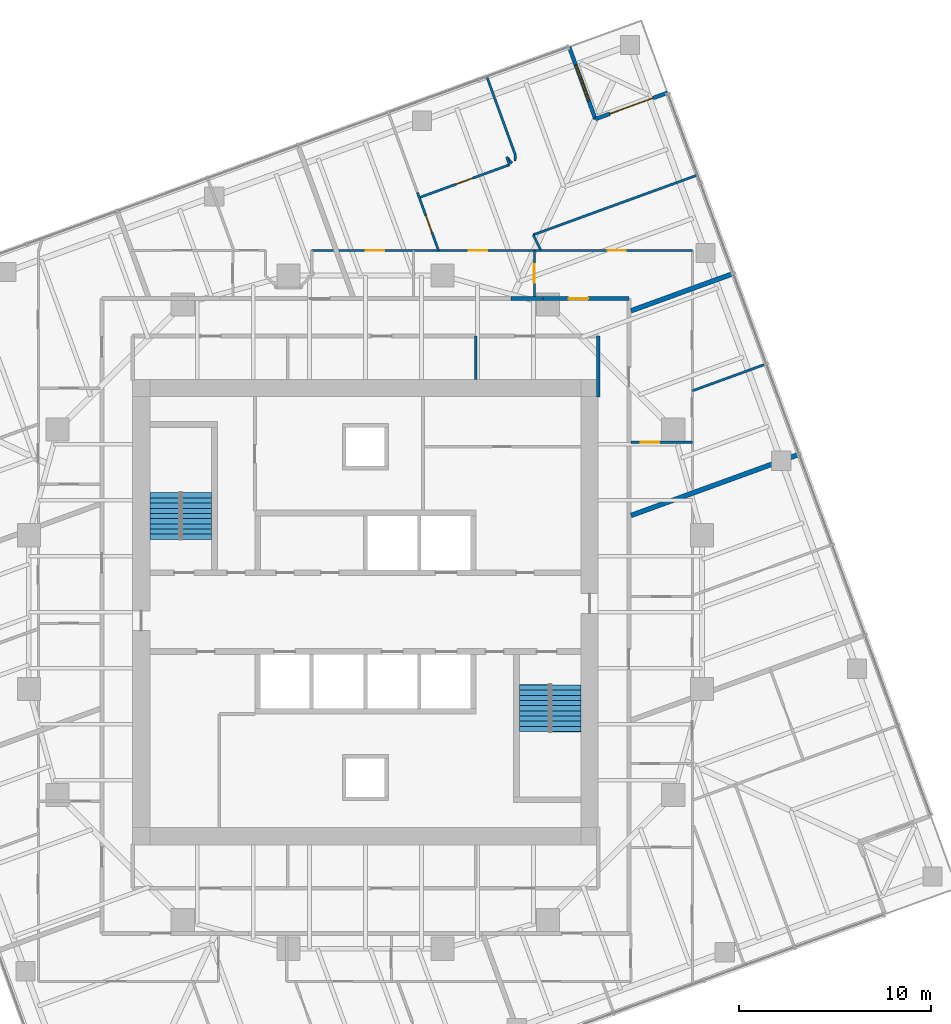
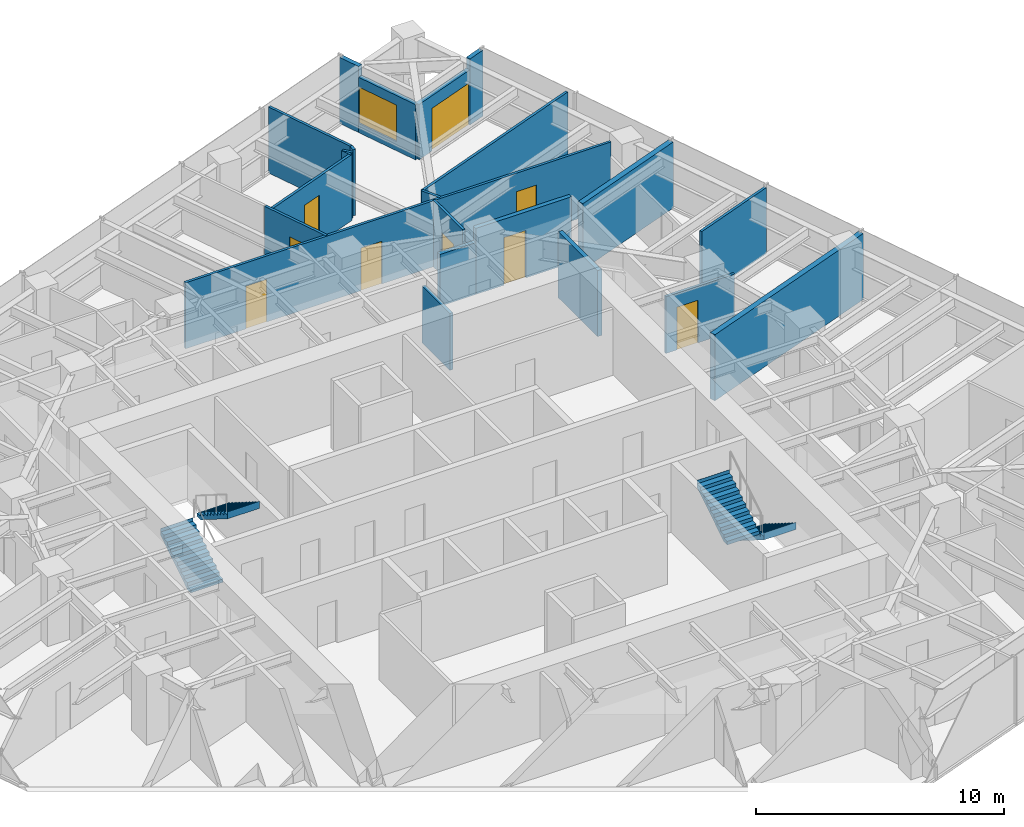
# One storey, part 12 of 13: 22 walls, 9 doors, 4 stair flights, 1 window, 10 openings, 2 elements without a shape of their own.
"""IFC4 building model written with IfcOpenShell, lengths in metres."""

from ifc_helpers import new_model, si_unit, direction, frame, frame_2d, origin, place, context, subcontext, project, spatial, polyline, rectangle, outline, extrude, material, layer, layer_set, type_object, element, fill, aggregate, save


model = new_model("IFC4")

# Units and contexts
model_context = context("Model", 3, precision=1e-05, world=origin(), true_north=direction((0.0, 1.0)))
body_context = subcontext(model_context, "Body", "Model", "MODEL_VIEW")
ifc_project = project(units=[si_unit("LENGTHUNIT", "METRE"), si_unit("AREAUNIT", "SQUARE_METRE"), si_unit("VOLUMEUNIT", "CUBIC_METRE"), si_unit("PLANEANGLEUNIT", "RADIAN"), si_unit("MASSUNIT", "GRAM", prefix="KILO")], contexts=[model_context])

# Site, building, storey
site_placement = place(None, origin())
site = spatial("IfcSite", under=ifc_project, at=site_placement, CompositionType="ELEMENT")
building_placement = place(site_placement, origin())
building = spatial("IfcBuilding", under=site, at=building_placement, Name="Torsade Residences", CompositionType="ELEMENT")
storey_placement = place(building_placement, frame((0.0, 0.0, 143.800048828125)))
storey = spatial("IfcBuildingStorey", under=building, at=storey_placement, Name="L39", CompositionType="ELEMENT", Elevation=143.800048828125)

# Wall, opening, door
ifc_material_1 = material(Name="Plasterboard on steel stud", Category="steel")
ifc_layer_1 = layer(ifc_material_1, 0.199951171875)
ifc_layer_set_1 = layer_set([ifc_layer_1], Name="Plasterboard on steel stud")
wall_type_1 = type_object("IfcWallType", Name="CORRIDOR WALL 200", PredefinedType="PARTITIONING", material=ifc_layer_set_1)
wall_1_placement = place(storey_placement, frame((53.699951171875, 46.300048828125, 0.0), z_axis=(0.0, 0.0, 1.0), x_axis=(-1.0, 0.0, 0.0)))
wall_1 = element("IfcWall", 1, at=wall_1_placement, inside=storey, type_object=wall_type_1, Name="Corridor wall L39", PredefinedType="PARTITIONING", context=body_context, shape_type="SweptSolid", body=[
    extrude(rectangle(XDim=4.458251953125, YDim=0.199951171875, at=frame_2d((2.22900390625, 0.0))), origin(), (0.0, 0.0, 1.0), 3.25),
])
opening_1_placement = place(wall_1_placement, frame((2.1220703125, 0.0, 0.0)))
opening_1 = element("IfcOpeningElement", 2, at=opening_1_placement, cuts=wall_1, Name="Opening D01", PredefinedType="OPENING", context=body_context, shape_type="SweptSolid", body=[
    extrude(rectangle(XDim=1.02001953125, YDim=2.340087890625, at=frame_2d((0.510009765625, 1.169921875))), frame((0.0, 0.10986328125, 0.0), z_axis=(0.0, -1.0, 0.0), x_axis=(1.0, 0.0, 0.0)), (0.0, 0.0, 1.0), 0.219970703125),
])
ifc_material_2 = material(Name="Solid-core timber fire door", Category="wood")
door_type_1 = type_object("IfcDoorType", Name="APARTMENT ENTRY DOOR 1020x2340", OperationType="NOTDEFINED", PredefinedType="DOOR", material=ifc_material_2)
door_1_placement = place(opening_1_placement, origin())
door_1 = element("IfcDoor", 3, at=door_1_placement, inside=storey, type_object=door_type_1, Name="Door Residential corridor to Kitchen and dining", OperationType="SINGLE_SWING_RIGHT", OverallHeight=2.340087890625, OverallWidth=1.02001953125, PredefinedType="DOOR", context=body_context, shape_type="SweptSolid", body=[
    extrude(rectangle(XDim=1.02001953125, YDim=2.340087890625, at=frame_2d((0.510009765625, 1.169921875))), frame((0.0, 0.02490234375, 0.0), z_axis=(0.0, -1.0, 0.0), x_axis=(1.0, 0.0, 0.0)), (0.0, 0.0, 1.0), 0.050048828125),
])
fill(opening_1, door_1)

# Walls
wall_2_placement = place(storey_placement, frame((49.24169921875, 46.300048828125, 0.0), z_axis=(0.0, 0.0, 1.0), x_axis=(-1.0, 0.0, 0.0)))
element("IfcWall", 4, at=wall_2_placement, inside=storey, type_object=wall_type_1, Name="Corridor wall L39", PredefinedType="PARTITIONING", context=body_context, shape_type="SweptSolid", body=[
    extrude(rectangle(XDim=1.683349609375, YDim=0.199951171875, at=frame_2d((0.841796875, 0.0))), origin(), (0.0, 0.0, 1.0), 2.550048828125),
])
wall_3_placement = place(storey_placement, frame((52.10009765625, 41.179931640625, 0.0), z_axis=(0.0, 0.0, 1.0), x_axis=(0.0, 1.0, 0.0)))
element("IfcWall", 5, at=wall_3_placement, inside=storey, type_object=wall_type_1, Name="Corridor wall L39", PredefinedType="PARTITIONING", context=body_context, shape_type="SweptSolid", body=[
    extrude(rectangle(XDim=3.170166015625, YDim=0.199951171875, at=frame_2d((1.5849609375, 0.0))), origin(), (0.0, 0.0, 1.0), 3.25),
])

# Wall, opening, door
ifc_material_3 = material(Name="Plasterboard on steel stud", Category="steel")
ifc_layer_2 = layer(ifc_material_3, 0.1201171875)
ifc_layer_set_2 = layer_set([ifc_layer_2], Name="Plasterboard on steel stud")
wall_type_2 = type_object("IfcWallType", Name="PARTITION 120", PredefinedType="PARTITIONING", material=ifc_layer_set_2)
wall_4_placement = place(storey_placement, frame((57.0, 38.834716796875, 0.0), z_axis=(0.0, 0.0, 1.0), x_axis=(-1.0, 0.0, 0.0)))
wall_4 = element("IfcWall", 6, at=wall_4_placement, inside=storey, type_object=wall_type_2, Name="Partition L39", PredefinedType="PARTITIONING", context=body_context, shape_type="SweptSolid", body=[
    extrude(rectangle(XDim=3.199951171875, YDim=0.1201171875, at=frame_2d((1.60009765625, 0.0))), origin(), (0.0, 0.0, 1.0), 2.7958984375),
])
opening_2_placement = place(wall_4_placement, frame((1.719970703125, 0.0, 0.0)))
opening_2 = element("IfcOpeningElement", 7, at=opening_2_placement, cuts=wall_4, Name="Opening D05", PredefinedType="OPENING", context=body_context, shape_type="SweptSolid", body=[
    extrude(rectangle(XDim=0.9599609375, YDim=2.10009765625, at=frame_2d((0.47998046875, 1.050048828125))), frame((0.0, 0.070068359375, 0.0), z_axis=(0.0, -1.0, 0.0), x_axis=(1.0, 0.0, 0.0)), (0.0, 0.0, 1.0), 0.14013671875),
])
ifc_material_4 = material(Name="Hollow-core timber door in a steel cavity frame", Category="steel")
door_type_2 = type_object("IfcDoorType", Name="BATHROOM CAVITY SLIDING DOOR 960", OperationType="SLIDING_TO_LEFT", PredefinedType="DOOR", material=ifc_material_4)
door_2_placement = place(opening_2_placement, origin())
door_2 = element("IfcDoor", 8, at=door_2_placement, inside=storey, type_object=door_type_2, Name="Door Kitchen and dining to Bathroom", OperationType="SLIDING_TO_LEFT", OverallHeight=2.10009765625, OverallWidth=0.9599609375, PredefinedType="DOOR", context=body_context, shape_type="SweptSolid", body=[
    extrude(rectangle(XDim=0.9599609375, YDim=2.10009765625, at=frame_2d((0.47998046875, 1.050048828125))), frame((0.0, 0.02490234375, 0.0), z_axis=(0.0, -1.0, 0.0), x_axis=(1.0, 0.0, 0.0)), (0.0, 0.0, 1.0), 0.050048828125),
])
fill(opening_2, door_2)

# Wall
wall_5_placement = place(storey_placement, frame((57.0, 41.50830078125, 0.0), z_axis=(0.0, 0.0, 1.0), x_axis=(0.939682468191, 0.342048036063, 0.0)))
element("IfcWall", 9, at=wall_5_placement, inside=storey, type_object=wall_type_2, Name="Partition L39", PredefinedType="PARTITIONING", context=body_context, shape_type="SweptSolid", body=[
    extrude(rectangle(XDim=4.049072265625, YDim=0.1201171875, at=frame_2d((2.0244140625, 0.0))), origin(), (0.0, 0.0, 1.0), 3.25),
])

# Wall, opening, door
wall_6_placement = place(storey_placement, frame((48.78564453125, 46.39990234375, 0.0), z_axis=(0.0, 0.0, 1.0), x_axis=(0.0, 1.0, 0.0)))
wall_6 = element("IfcWall", 10, at=wall_6_placement, inside=storey, type_object=wall_type_2, Name="Partition L39", PredefinedType="PARTITIONING", context=body_context, shape_type="SweptSolid", body=[
    extrude(rectangle(XDim=2.400146484375, YDim=0.1201171875, at=frame_2d((1.2001953125, 0.0))), origin(), (0.0, 0.0, 1.0), 3.25),
])
opening_3_placement = place(wall_6_placement, frame((0.719970703125, 0.0, 0.0)))
opening_3 = element("IfcOpeningElement", 11, at=opening_3_placement, cuts=wall_6, Name="Opening D05", PredefinedType="OPENING", context=body_context, shape_type="SweptSolid", body=[
    extrude(rectangle(XDim=0.9599609375, YDim=2.10009765625, at=frame_2d((0.47998046875, 1.050048828125))), frame((0.0, 0.070068359375, 0.0), z_axis=(0.0, -1.0, 0.0), x_axis=(1.0, 0.0, 0.0)), (0.0, 0.0, 1.0), 0.14013671875),
])
door_3_placement = place(opening_3_placement, origin())
door_3 = element("IfcDoor", 12, at=door_3_placement, inside=storey, type_object=door_type_2, Name="Door Kitchen and dining to Bathroom", OperationType="SLIDING_TO_LEFT", OverallHeight=2.10009765625, OverallWidth=0.9599609375, PredefinedType="DOOR", context=body_context, shape_type="SweptSolid", body=[
    extrude(rectangle(XDim=0.9599609375, YDim=2.10009765625, at=frame_2d((0.47998046875, 1.050048828125))), frame((0.0, 0.02490234375, 0.0), z_axis=(0.0, -1.0, 0.0), x_axis=(1.0, 0.0, 0.0)), (0.0, 0.0, 1.0), 0.050048828125),
])
fill(opening_3, door_3)

# Wall, openings, doors
wall_7_placement = place(storey_placement, frame((37.199951171875, 48.800048828125, 0.0), z_axis=(0.0, 0.0, 1.0), x_axis=(1.0, 0.0, 0.0)))
wall_7 = element("IfcWall", 13, at=wall_7_placement, inside=storey, type_object=wall_type_2, Name="Partition L39", PredefinedType="PARTITIONING", context=body_context, shape_type="SweptSolid", body=[
    extrude(rectangle(XDim=19.800048828125, YDim=0.1201171875, at=frame_2d((9.89990234375, 0.0))), origin(), (0.0, 0.0, 1.0), 3.25),
])
opening_4_placement = place(wall_7_placement, frame((15.40283203125, 0.0, 0.0)))
opening_4 = element("IfcOpeningElement", 14, at=opening_4_placement, cuts=wall_7, Name="Opening D02", PredefinedType="OPENING", context=body_context, shape_type="SweptSolid", body=[
    extrude(rectangle(XDim=0.919921875, YDim=2.340087890625, at=frame_2d((0.4599609375, 1.169921875))), frame((0.0, 0.070068359375, 0.0), z_axis=(0.0, -1.0, 0.0), x_axis=(1.0, 0.0, 0.0)), (0.0, 0.0, 1.0), 0.14013671875),
])
opening_5_placement = place(wall_7_placement, frame((8.165283203125, 0.0, 0.0)))
opening_5 = element("IfcOpeningElement", 15, at=opening_5_placement, cuts=wall_7, Name="Opening D05", PredefinedType="OPENING", context=body_context, shape_type="SweptSolid", body=[
    extrude(rectangle(XDim=0.9599609375, YDim=2.10009765625, at=frame_2d((0.47998046875, 1.050048828125))), frame((0.0, 0.070068359375, 0.0), z_axis=(0.0, -1.0, 0.0), x_axis=(1.0, 0.0, 0.0)), (0.0, 0.0, 1.0), 0.14013671875),
])
opening_6_placement = place(wall_7_placement, frame((2.8095703125, 0.0, 0.0)))
opening_6 = element("IfcOpeningElement", 16, at=opening_6_placement, cuts=wall_7, Name="Opening D05", PredefinedType="OPENING", context=body_context, shape_type="SweptSolid", body=[
    extrude(rectangle(XDim=0.9599609375, YDim=2.10009765625, at=frame_2d((0.47998046875, 1.050048828125))), frame((0.0, 0.070068359375, 0.0), z_axis=(0.0, -1.0, 0.0), x_axis=(1.0, 0.0, 0.0)), (0.0, 0.0, 1.0), 0.14013671875),
])
door_4_placement = place(opening_5_placement, origin())
door_4 = element("IfcDoor", 17, at=door_4_placement, inside=storey, type_object=door_type_2, Name="Door Bathroom to Living room", OperationType="SLIDING_TO_LEFT", OverallHeight=2.10009765625, OverallWidth=0.9599609375, PredefinedType="DOOR", context=body_context, shape_type="SweptSolid", body=[
    extrude(rectangle(XDim=0.9599609375, YDim=2.10009765625, at=frame_2d((0.47998046875, 1.050048828125))), frame((0.0, 0.02490234375, 0.0), z_axis=(0.0, -1.0, 0.0), x_axis=(1.0, 0.0, 0.0)), (0.0, 0.0, 1.0), 0.050048828125),
])
fill(opening_5, door_4)
door_5_placement = place(opening_6_placement, origin())
door_5 = element("IfcDoor", 18, at=door_5_placement, inside=storey, type_object=door_type_2, Name="Door Bedroom 1 to Ensuite", OperationType="SLIDING_TO_LEFT", OverallHeight=2.10009765625, OverallWidth=0.9599609375, PredefinedType="DOOR", context=body_context, shape_type="SweptSolid", body=[
    extrude(rectangle(XDim=0.9599609375, YDim=2.10009765625, at=frame_2d((0.47998046875, 1.050048828125))), frame((0.0, 0.02490234375, 0.0), z_axis=(0.0, -1.0, 0.0), x_axis=(1.0, 0.0, 0.0)), (0.0, 0.0, 1.0), 0.050048828125),
])
fill(opening_6, door_5)
ifc_material_5 = material(Name="Hollow-core timber door", Category="wood")
door_type_3 = type_object("IfcDoorType", Name="INTERNAL DOOR 920x2340", OperationType="NOTDEFINED", PredefinedType="DOOR", material=ifc_material_5)
door_6_placement = place(opening_4_placement, origin())
door_6 = element("IfcDoor", 19, at=door_6_placement, inside=storey, type_object=door_type_3, Name="Door Kitchen and dining to Bedroom 2", OperationType="SINGLE_SWING_RIGHT", OverallHeight=2.340087890625, OverallWidth=0.919921875, PredefinedType="DOOR", context=body_context, shape_type="SweptSolid", body=[
    extrude(rectangle(XDim=0.919921875, YDim=2.340087890625, at=frame_2d((0.4599609375, 1.169921875))), frame((0.0, 0.02490234375, 0.0), z_axis=(0.0, -1.0, 0.0), x_axis=(1.0, 0.0, 0.0)), (0.0, 0.0, 1.0), 0.050048828125),
])
fill(opening_4, door_6)

# Wall, opening, door
wall_8_placement = place(storey_placement, frame((43.799072265625, 48.800048828125, 0.0), z_axis=(0.0, 0.0, 1.0), x_axis=(-0.342034943783, 0.939687233728, 0.0)))
wall_8 = element("IfcWall", 20, at=wall_8_placement, inside=storey, type_object=wall_type_2, Name="Partition L39", PredefinedType="PARTITIONING", context=body_context, shape_type="SweptSolid", body=[
    extrude(rectangle(XDim=3.223388671875, YDim=0.1201171875, at=frame_2d((1.61181640625, 0.0))), origin(), (0.0, 0.0, 1.0), 3.25),
])
opening_7_placement = place(wall_8_placement, frame((1.00390625, 0.0, 0.0)))
opening_7 = element("IfcOpeningElement", 21, at=opening_7_placement, cuts=wall_8, Name="Opening D02", PredefinedType="OPENING", context=body_context, shape_type="SweptSolid", body=[
    extrude(rectangle(XDim=0.919921875, YDim=2.340087890625, at=frame_2d((0.4599609375, 1.169921875))), frame((0.0, 0.070068359375, 0.0), z_axis=(0.0, -1.0, 0.0), x_axis=(1.0, 0.0, 0.0)), (0.0, 0.0, 1.0), 0.14013671875),
])
door_7_placement = place(opening_7_placement, origin())
door_7 = element("IfcDoor", 22, at=door_7_placement, inside=storey, type_object=door_type_3, Name="Door Living room to Bedroom 1", OperationType="SINGLE_SWING_LEFT", OverallHeight=2.340087890625, OverallWidth=0.919921875, PredefinedType="DOOR", context=body_context, shape_type="SweptSolid", body=[
    extrude(rectangle(XDim=0.919921875, YDim=2.340087890625, at=frame_2d((0.4599609375, 1.169921875))), frame((0.0, 0.02490234375, 0.0), z_axis=(0.0, -1.0, 0.0), x_axis=(1.0, 0.0, 0.0)), (0.0, 0.0, 1.0), 0.050048828125),
])
fill(opening_7, door_7)

# Walls
wall_9_placement = place(storey_placement, frame((57.230712890625, 52.713134765625, 0.0), z_axis=(0.0, 0.0, 1.0), x_axis=(-0.939692673089, -0.342019999623, 0.0)))
element("IfcWall", 23, at=wall_9_placement, inside=storey, type_object=wall_type_2, Name="Partition L39", PredefinedType="PARTITIONING", context=body_context, shape_type="SweptSolid", body=[
    extrude(rectangle(XDim=9.059814453125, YDim=0.1201171875, at=frame_2d((4.52978515625, 0.0))), origin(), (0.0, 0.0, 1.0), 3.25),
])
wall_10_placement = place(storey_placement, frame((48.71728515625, 49.614501953125, 0.0), z_axis=(0.0, 0.0, 1.0), x_axis=(0.448117513314, -0.893974660861, 0.0)))
element("IfcWall", 24, at=wall_10_placement, inside=storey, type_object=wall_type_2, Name="Partition L39", PredefinedType="PARTITIONING", context=body_context, shape_type="SweptSolid", body=[
    extrude(rectangle(XDim=0.864013671875, YDim=0.1201171875, at=frame_2d((0.43212890625, 0.0))), origin(), (0.0, 0.0, 1.0), 3.25),
])

# Wall, opening, door
wall_11_placement = place(storey_placement, frame((42.7978515625, 51.55126953125, 0.0), z_axis=(0.0, 0.0, 1.0), x_axis=(0.939699104319, 0.342002329438, 0.0)))
wall_11 = element("IfcWall", 25, at=wall_11_placement, inside=storey, type_object=wall_type_2, Name="Partition L39", PredefinedType="PARTITIONING", context=body_context, shape_type="SweptSolid", body=[
    extrude(rectangle(XDim=4.98974609375, YDim=0.1201171875, at=frame_2d((2.494873046875, 0.0))), origin(), (0.0, 0.0, 1.0), 3.25),
])
opening_8_placement = place(wall_11_placement, frame((2.034912109375, 0.0, 0.0)))
opening_8 = element("IfcOpeningElement", 26, at=opening_8_placement, cuts=wall_11, Name="Opening D02", PredefinedType="OPENING", context=body_context, shape_type="SweptSolid", body=[
    extrude(rectangle(XDim=0.919921875, YDim=2.340087890625, at=frame_2d((0.4599609375, 1.169921875))), frame((0.0, 0.070068359375, 0.0), z_axis=(0.0, -1.0, 0.0), x_axis=(1.0, 0.0, 0.0)), (0.0, 0.0, 1.0), 0.14013671875),
])
door_8_placement = place(opening_8_placement, origin())
door_8 = element("IfcDoor", 27, at=door_8_placement, inside=storey, type_object=door_type_3, Name="Door Living room to Bedroom 3", OperationType="SINGLE_SWING_RIGHT", OverallHeight=2.340087890625, OverallWidth=0.919921875, PredefinedType="DOOR", context=body_context, shape_type="SweptSolid", body=[
    extrude(rectangle(XDim=0.919921875, YDim=2.340087890625, at=frame_2d((0.4599609375, 1.169921875))), frame((0.0, 0.02490234375, 0.0), z_axis=(0.0, -1.0, 0.0), x_axis=(1.0, 0.0, 0.0)), (0.0, 0.0, 1.0), 0.050048828125),
])
fill(opening_8, door_8)

# Walls
for number, where, z_axis, x_axis, name in (
    (28, (47.48681640625, 53.2578125, 0.0), (0.0, 0.0, 1.0), (-0.341833643998, 0.939760480033, 0.0), "Partition L39"),
    (29, (47.343994140625, 53.66748046875, 0.0), (0.0, 0.0, 1.0), (0.638629337621, -0.769514502222, 0.0), "Partition L39"),
):
    element("IfcWall", number, at=place(storey_placement, frame(where, z_axis=z_axis, x_axis=x_axis)), inside=storey, type_object=wall_type_2, Name=name, PredefinedType="PARTITIONING", context=body_context, shape_type="SweptSolid", body=[
        extrude(rectangle(XDim=0.432861328125, YDim=0.1201171875, at=frame_2d((0.21630859375, 0.0))), origin(), (0.0, 0.0, 1.0), 3.25),
    ])
wall_12_placement = place(storey_placement, frame((47.768798828125, 53.457763671875, 0.0), z_axis=(0.0, 0.0, 1.0), x_axis=(0.093212941297, 0.995646195983, 0.0)))
element("IfcWall", 30, at=wall_12_placement, inside=storey, type_object=wall_type_2, Name="Partition L39", PredefinedType="PARTITIONING", context=body_context, shape_type="SweptSolid", body=[
    extrude(rectangle(XDim=0.2958984375, YDim=0.1201171875, at=frame_2d((0.14794921875, 0.0))), origin(), (0.0, 0.0, 1.0), 3.25),
])
wall_13_placement = place(storey_placement, frame((47.79638671875, 53.75244140625, 0.0), z_axis=(0.0, 0.0, 1.0), x_axis=(-0.342011603146, 0.939695729113, 0.0)))
element("IfcWall", 31, at=wall_13_placement, inside=storey, type_object=wall_type_2, Name="Partition L39", PredefinedType="PARTITIONING", context=body_context, shape_type="SweptSolid", body=[
    extrude(rectangle(XDim=4.306640625, YDim=0.1201171875, at=frame_2d((2.1533203125, 0.0))), origin(), (0.0, 0.0, 1.0), 3.25),
])
ifc_material_6 = material(Name="Masonry-lined stud party wall", Category="masonry")
ifc_layer_3 = layer(ifc_material_6, 0.25)
ifc_layer_set_3 = layer_set([ifc_layer_3], Name="Masonry-lined stud party wall")
wall_type_3 = type_object("IfcWallType", Name="PARTY WALL 250", PredefinedType="PARTITIONING", material=ifc_layer_set_3)
wall_14_placement = place(storey_placement, frame((62.552734375, 38.20849609375, 0.0), z_axis=(0.0, 0.0, 1.0), x_axis=(-0.939693071685, -0.342018904489, 0.0)))
element("IfcWall", 32, at=wall_14_placement, inside=storey, type_object=wall_type_3, Name="Party wall L39", PredefinedType="PARTITIONING", context=body_context, shape_type="SweptSolid", body=[
    extrude(rectangle(XDim=9.308837890625, YDim=0.25, at=frame_2d((4.654296875, 0.0))), origin(), (0.0, 0.0, 1.0), 3.25),
])
wall_15_placement = place(storey_placement, frame((59.13232421875, 47.60546875, 0.0), z_axis=(0.0, 0.0, 1.0), x_axis=(-0.939690274876, -0.342026588591, 0.0)))
element("IfcWall", 33, at=wall_15_placement, inside=storey, type_object=wall_type_3, Name="Party wall L39", PredefinedType="PARTITIONING", context=body_context, shape_type="SweptSolid", body=[
    extrude(rectangle(XDim=5.6689453125, YDim=0.25, at=frame_2d((2.83447265625, 0.0))), origin(), (0.0, 0.0, 1.0), 3.25),
])
ifc_material_7 = material(Name="Reinforced blockwork", Category="masonry")
ifc_layer_4 = layer(ifc_material_7, 0.14990234375)
ifc_layer_set_4 = layer_set([ifc_layer_4], Name="Reinforced blockwork")
wall_type_4 = type_object("IfcWallType", Name="SERVICE ROOM WALL 150", PredefinedType="SOLIDWALL", material=ifc_layer_set_4)
wall_16_placement = place(storey_placement, frame((45.7353515625, 42.10009765625, 0.0), z_axis=(0.0, 0.0, 1.0), x_axis=(0.0, 1.0, 0.0)))
element("IfcWall", 34, at=wall_16_placement, inside=storey, type_object=wall_type_4, Name="Service room wall L39", PredefinedType="SOLIDWALL", context=body_context, shape_type="SweptSolid", body=[
    extrude(rectangle(XDim=2.25, YDim=0.14990234375, at=frame_2d((1.125, 0.0))), origin(), (0.0, 0.0, 1.0), 2.7958984375),
])
ifc_material_8 = material(Name="Stone-faced precast concrete 40 MPa panel", Category="masonry")
ifc_layer_5 = layer(ifc_material_8, 0.199951171875)
ifc_layer_set_5 = layer_set([ifc_layer_5], Name="Stone-faced precast concrete 40 MPa panel")
wall_type_5 = type_object("IfcWallType", Name="TERRACE WALL 200", PredefinedType="SOLIDWALL", material=ifc_layer_set_5)
wall_17_placement = place(storey_placement, frame((55.712158203125, 57.00244140625, 0.0), z_axis=(0.0, 0.0, 1.0), x_axis=(-0.939659694648, -0.342110593602, 0.0)))
element("IfcWall", 35, at=wall_17_placement, inside=storey, type_object=wall_type_5, Name="Terrace wall L39 5", PredefinedType="SOLIDWALL", context=body_context, shape_type="SweptSolid", body=[
    extrude(rectangle(XDim=0.800048828125, YDim=0.199951171875, at=frame_2d((0.39990234375, 0.0))), origin(), (0.0, 0.0, 1.0), 3.25),
])

# Wall, opening, door
wall_18_placement = place(storey_placement, frame((54.96044921875, 56.728759765625, 0.0), z_axis=(0.0, 0.0, 1.0), x_axis=(-0.939693144909, -0.342018703306, 0.0)))
wall_18 = element("IfcWall", 36, at=wall_18_placement, inside=storey, type_object=wall_type_5, Name="Terrace wall L39 5", PredefinedType="SOLIDWALL", context=body_context, shape_type="SweptSolid", body=[
    extrude(rectangle(XDim=3.199951171875, YDim=0.199951171875, at=frame_2d((1.60009765625, 0.0))), origin(), (0.0, 0.0, 1.0), 2.721923828125),
])
opening_9_placement = place(wall_18_placement, origin())
opening_9 = element("IfcOpeningElement", 37, at=opening_9_placement, cuts=wall_18, Name="Opening D10A", PredefinedType="OPENING", context=body_context, shape_type="SweptSolid", body=[
    extrude(rectangle(XDim=2.39990234375, YDim=2.10009765625, at=frame_2d((1.199951171875, 1.050048828125))), frame((0.0, 0.10986328125, 0.0), z_axis=(0.0, -1.0, 0.0), x_axis=(1.0, 0.0, 0.0)), (0.0, 0.0, 1.0), 0.219970703125),
])
ifc_material_9 = material(Name="Aluminium-framed glass door", Category="aluminium")
door_type_4 = type_object("IfcDoorType", Name="TERRACE SLIDING DOOR 2400x2100", OperationType="SLIDING_TO_LEFT", PredefinedType="DOOR", material=ifc_material_9)
door_9_placement = place(opening_9_placement, origin())
door_9 = element("IfcDoor", 38, at=door_9_placement, inside=storey, type_object=door_type_4, Name="Terrace door L39 5", OperationType="SLIDING_TO_LEFT", OverallHeight=2.10009765625, OverallWidth=2.39990234375, PredefinedType="DOOR", context=body_context, shape_type="SweptSolid", body=[
    extrude(rectangle(XDim=2.39990234375, YDim=2.10009765625, at=frame_2d((1.199951171875, 1.050048828125))), frame((0.0, 0.02490234375, 0.0), z_axis=(0.0, -1.0, 0.0), x_axis=(1.0, 0.0, 0.0)), (0.0, 0.0, 1.0), 0.050048828125),
])
fill(opening_9, door_9)

# Wall, opening, window
wall_19_placement = place(storey_placement, frame((51.953369140625, 55.63427734375, 0.0), z_axis=(0.0, 0.0, 1.0), x_axis=(-0.341965219194, 0.939712609717, 0.0)))
wall_19 = element("IfcWall", 39, at=wall_19_placement, inside=storey, type_object=wall_type_5, Name="Terrace wall L39 6", PredefinedType="SOLIDWALL", context=body_context, shape_type="SweptSolid", body=[
    extrude(rectangle(XDim=3.0, YDim=0.199951171875, at=frame_2d((1.5, 0.0))), origin(), (0.0, 0.0, 1.0), 2.721923828125),
])
opening_10_placement = place(wall_19_placement, frame((1.0, 0.0, 0.449951171875)))
opening_10 = element("IfcOpeningElement", 40, at=opening_10_placement, cuts=wall_19, Name="Opening W1B", PredefinedType="OPENING", context=body_context, shape_type="SweptSolid", body=[
    extrude(rectangle(XDim=2.0, YDim=1.800048828125, at=frame_2d((1.0, 0.89990234375))), frame((0.0, 0.10986328125, 0.0), z_axis=(0.0, -1.0, 0.0), x_axis=(1.0, 0.0, 0.0)), (0.0, 0.0, 1.0), 0.219970703125),
])
ifc_material_10 = material(Name="Aluminium-framed glass window", Category="aluminium")
window_type = type_object("IfcWindowType", Name="TERRACE WINDOW 2000x1800", PartitioningType="SINGLE_PANEL", PredefinedType="WINDOW", material=ifc_material_10)
window_placement = place(opening_10_placement, origin())
window = element("IfcWindow", 41, at=window_placement, inside=storey, type_object=window_type, Name="Terrace window L39 6", OverallHeight=1.800048828125, OverallWidth=2.0, PartitioningType="SINGLE_PANEL", PredefinedType="WINDOW", context=body_context, shape_type="SweptSolid", body=[
    extrude(rectangle(XDim=2.0, YDim=1.800048828125, at=frame_2d((1.0, 0.89990234375))), frame((0.0, 0.030029296875, 0.0), z_axis=(0.0, -1.0, 0.0), x_axis=(1.0, 0.0, 0.0)), (0.0, 0.0, 1.0), 0.06005859375),
])
fill(opening_10, window)

# Wall
wall_20_placement = place(storey_placement, frame((50.927490234375, 58.453369140625, 0.0), z_axis=(0.0, 0.0, 1.0), x_axis=(-0.342037080957, 0.939686455819, 0.0)))
element("IfcWall", 42, at=wall_20_placement, inside=storey, type_object=wall_type_5, Name="Terrace wall L39 6", PredefinedType="SOLIDWALL", context=body_context, shape_type="SweptSolid", body=[
    extrude(rectangle(XDim=1.0, YDim=0.199951171875, at=frame_2d((0.5, 0.0))), origin(), (0.0, 0.0, 1.0), 3.25),
])

# Stair, stair flights
ifc_material_11 = material(Name="Precast concrete 40 MPa", Category="concrete")
stair_type = type_object("IfcStairType", Name="HALF-TURN FIRE STAIR 1500x3400", PredefinedType="HALF_TURN_STAIR", material=ifc_material_11)
stair_1_placement = place(storey_placement, origin())
stair_1 = element("IfcStair", 43, at=stair_1_placement, inside=storey, type_object=stair_type, Name="Stair ST1 L39", PredefinedType="HALF_TURN_STAIR")
ifc_material_12 = material(Name="Precast concrete 40 MPa", Category="concrete")
stair_flight_type = type_object("IfcStairFlightType", Name="PRECAST STAIR FLIGHT 1500x1700", PredefinedType="STRAIGHT", material=ifc_material_12)
stair_flight_1_placement = place(storey_placement, frame((29.550048828125, 33.780029296875, 0.0), z_axis=(0.0, 0.0, 1.0), x_axis=(0.0, 1.0, 0.0)))
stair_flight_1 = element("IfcStairFlight", 44, at=stair_flight_1_placement, type_object=stair_flight_type, Name="ST1 flight 1", NumberOfRisers=10, NumberOfTreads=9, PredefinedType="STRAIGHT", RiserHeight=0.17, TreadLength=0.27, context=body_context, shape_type="SweptSolid", body=[
    extrude(outline(polyline([(0.0, 0.0), (0.0, 0.169921875), (0.27001953125, 0.169921875), (0.27001953125, 0.340087890625), (0.5400390625, 0.340087890625), (0.5400390625, 0.510009765625), (0.81005859375, 0.510009765625), (0.81005859375, 0.679931640625), (1.080078125, 0.679931640625), (1.080078125, 0.85009765625), (1.35009765625, 0.85009765625), (1.35009765625, 1.02001953125), (1.6201171875, 1.02001953125), (1.6201171875, 1.18994140625), (1.889892578125, 1.18994140625), (1.889892578125, 1.360107421875), (2.159912109375, 1.360107421875), (2.159912109375, 1.530029296875), (2.429931640625, 1.530029296875), (2.429931640625, 1.699951171875), (2.43994140625, 1.699951171875), (2.43994140625, 1.352783203125), (2.429931640625, 1.352783203125), (0.28125, 0.0), (0.0, 0.0)])), frame((0.0, 0.75, 0.0), z_axis=(0.0, -1.0, 0.0), x_axis=(1.0, 0.0, 0.0)), (0.0, 0.0, 1.0), 1.5),
])
stair_flight_2_placement = place(storey_placement, frame((31.25, 36.2099609375, 1.699951171875), z_axis=(0.0, 0.0, 1.0), x_axis=(0.0, -1.0, 0.0)))
stair_flight_2 = element("IfcStairFlight", 45, at=stair_flight_2_placement, type_object=stair_flight_type, Name="ST1 flight 2", NumberOfRisers=10, NumberOfTreads=9, PredefinedType="STRAIGHT", RiserHeight=0.17, TreadLength=0.27, context=body_context, shape_type="SweptSolid", body=[
    extrude(outline(polyline([(0.0, 0.0), (0.0, 0.169921875), (0.27001953125, 0.169921875), (0.27001953125, 0.340087890625), (0.5400390625, 0.340087890625), (0.5400390625, 0.510009765625), (0.81005859375, 0.510009765625), (0.81005859375, 0.679931640625), (1.080078125, 0.679931640625), (1.080078125, 0.85009765625), (1.35009765625, 0.85009765625), (1.35009765625, 1.02001953125), (1.6201171875, 1.02001953125), (1.6201171875, 1.18994140625), (1.889892578125, 1.18994140625), (1.889892578125, 1.360107421875), (2.159912109375, 1.360107421875), (2.159912109375, 1.530029296875), (2.429931640625, 1.530029296875), (2.429931640625, 1.699951171875), (2.43994140625, 1.699951171875), (2.43994140625, 1.352783203125), (2.429931640625, 1.352783203125), (0.28125, 0.0), (0.0, 0.0)])), frame((0.0, 0.75, 0.0), z_axis=(0.0, -1.0, 0.0), x_axis=(1.0, 0.0, 0.0)), (0.0, 0.0, 1.0), 1.5),
])
aggregate(stair_1, [stair_flight_1, stair_flight_2])

stair_2_placement = place(storey_placement, origin())
stair_2 = element("IfcStair", 46, at=stair_2_placement, inside=storey, type_object=stair_type, Name="Stair ST2 L39", PredefinedType="HALF_TURN_STAIR")
stair_flight_3_placement = place(storey_placement, frame((50.449951171875, 26.219970703125, 0.0), z_axis=(0.0, 0.0, 1.0), x_axis=(0.0, -1.0, 0.0)))
stair_flight_3 = element("IfcStairFlight", 47, at=stair_flight_3_placement, type_object=stair_flight_type, Name="ST2 flight 1", NumberOfRisers=10, NumberOfTreads=9, PredefinedType="STRAIGHT", RiserHeight=0.17, TreadLength=0.27, context=body_context, shape_type="SweptSolid", body=[
    extrude(outline(polyline([(0.0, 0.0), (0.0, 0.169921875), (0.27001953125, 0.169921875), (0.27001953125, 0.340087890625), (0.5400390625, 0.340087890625), (0.5400390625, 0.510009765625), (0.81005859375, 0.510009765625), (0.81005859375, 0.679931640625), (1.080078125, 0.679931640625), (1.080078125, 0.85009765625), (1.35009765625, 0.85009765625), (1.35009765625, 1.02001953125), (1.6201171875, 1.02001953125), (1.6201171875, 1.18994140625), (1.889892578125, 1.18994140625), (1.889892578125, 1.360107421875), (2.159912109375, 1.360107421875), (2.159912109375, 1.530029296875), (2.429931640625, 1.530029296875), (2.429931640625, 1.699951171875), (2.43994140625, 1.699951171875), (2.43994140625, 1.352783203125), (2.429931640625, 1.352783203125), (0.28125, 0.0), (0.0, 0.0)])), frame((0.0, 0.75, 0.0), z_axis=(0.0, -1.0, 0.0), x_axis=(1.0, 0.0, 0.0)), (0.0, 0.0, 1.0), 1.5),
])
stair_flight_4_placement = place(storey_placement, frame((48.75, 23.7900390625, 1.699951171875), z_axis=(0.0, 0.0, 1.0), x_axis=(0.0, 1.0, 0.0)))
stair_flight_4 = element("IfcStairFlight", 48, at=stair_flight_4_placement, type_object=stair_flight_type, Name="ST2 flight 2", NumberOfRisers=10, NumberOfTreads=9, PredefinedType="STRAIGHT", RiserHeight=0.17, TreadLength=0.27, context=body_context, shape_type="SweptSolid", body=[
    extrude(outline(polyline([(0.0, 0.0), (0.0, 0.169921875), (0.27001953125, 0.169921875), (0.27001953125, 0.340087890625), (0.5400390625, 0.340087890625), (0.5400390625, 0.510009765625), (0.81005859375, 0.510009765625), (0.81005859375, 0.679931640625), (1.080078125, 0.679931640625), (1.080078125, 0.85009765625), (1.35009765625, 0.85009765625), (1.35009765625, 1.02001953125), (1.6201171875, 1.02001953125), (1.6201171875, 1.18994140625), (1.889892578125, 1.18994140625), (1.889892578125, 1.360107421875), (2.159912109375, 1.360107421875), (2.159912109375, 1.530029296875), (2.429931640625, 1.530029296875), (2.429931640625, 1.699951171875), (2.43994140625, 1.699951171875), (2.43994140625, 1.352783203125), (2.429931640625, 1.352783203125), (0.28125, 0.0), (0.0, 0.0)])), frame((0.0, 0.75, 0.0), z_axis=(0.0, -1.0, 0.0), x_axis=(1.0, 0.0, 0.0)), (0.0, 0.0, 1.0), 1.5),
])
aggregate(stair_2, [stair_flight_3, stair_flight_4])

save(model, "model.ifc")
